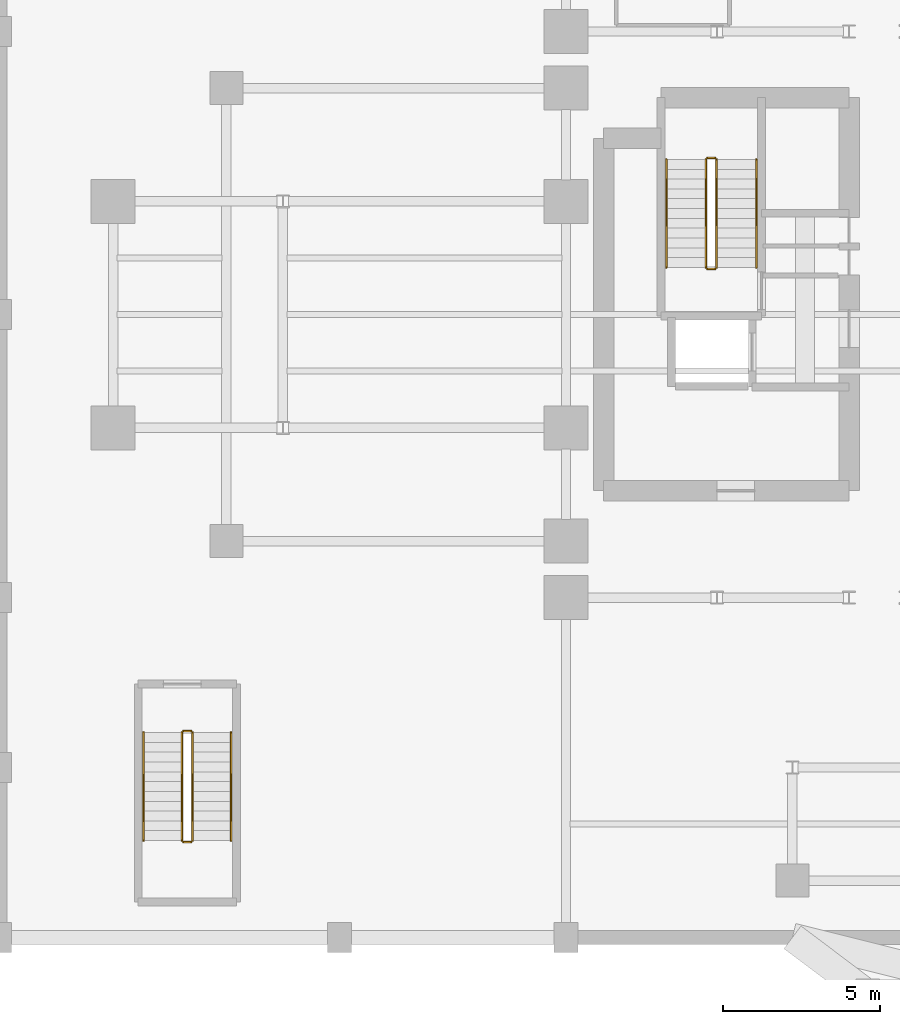
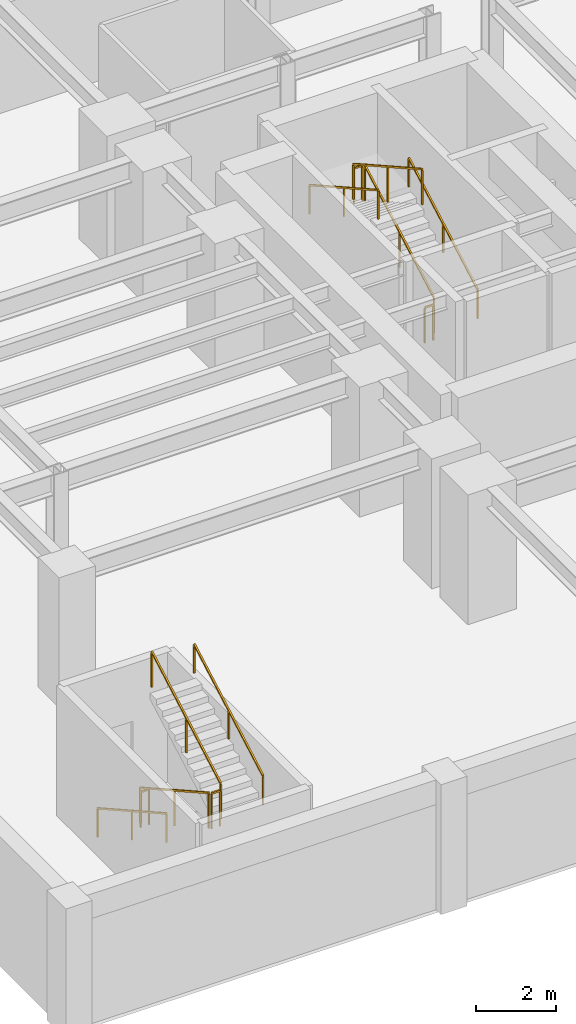
# One storey, part 8 of 9: 12 railings.
"""IFC4 building model written with IfcOpenShell, lengths in metres."""

from ifc_helpers import new_model, si_unit, direction, frame, origin, origin_2d, place, context, subcontext, project, spatial, rectangle, extrude, material, type_object, element, save


model = new_model("IFC4")

# Units and contexts
model_context = context("Model", 3, precision=1e-05, world=origin(), true_north=direction((0.0, 1.0)))
body_context = subcontext(model_context, "Body", "Model", "MODEL_VIEW")
ifc_project = project(units=[si_unit("LENGTHUNIT", "METRE"), si_unit("AREAUNIT", "SQUARE_METRE"), si_unit("VOLUMEUNIT", "CUBIC_METRE"), si_unit("PLANEANGLEUNIT", "RADIAN"), si_unit("MASSUNIT", "GRAM", prefix="KILO")], contexts=[model_context])

# Site, building, storey
site_placement = place(None, origin())
site = spatial("IfcSite", under=ifc_project, at=site_placement, CompositionType="ELEMENT")
building_placement = place(site_placement, origin())
building = spatial("IfcBuilding", under=site, at=building_placement, Name="Keilestroom Media Tower", CompositionType="ELEMENT")
storey_placement = place(building_placement, frame((0.0, 0.0, -4.199951171875)))
storey = spatial("IfcBuildingStorey", under=building, at=storey_placement, Name="B1", CompositionType="ELEMENT", Elevation=-4.199951171875)

# Railings
ifc_material_1 = material(Name="Brushed Stainless Steel 1.4301", Category="steel")
railing_type_1 = type_object("IfcRailingType", Name="Stair-Pitch-Handrail-920", PredefinedType="HANDRAIL", material=ifc_material_1)
railing_1_placement = place(storey_placement, frame((-8.35009765625, 1.5, 0.175048828125)))
element("IfcRailing", 1, at=railing_1_placement, inside=storey, type_object=railing_type_1, Name="B1 ST-1 stair handrail 1", PredefinedType="HANDRAIL", context=body_context, shape_type="SweptSolid", body=[
    extrude(rectangle(XDim=0.048095703125, YDim=0.048095703125, at=origin_2d()), frame((0.0, 0.0, 0.8759765625), z_axis=(0.0, 0.872186301735, 0.489173849532), x_axis=(-1.0, 0.0, 0.0)), (0.0, 0.0, 1.0), 3.934814453125),
    extrude(rectangle(XDim=0.0419921875, YDim=0.0419921875, at=origin_2d()), origin(), (0.0, 0.0, 1.0), 0.84375),
    extrude(rectangle(XDim=0.0419921875, YDim=0.0419921875, at=origin_2d()), frame((0.0, 1.7158203125, 0.96240234375)), (0.0, 0.0, 1.0), 0.84375),
    extrude(rectangle(XDim=0.0419921875, YDim=0.0419921875, at=origin_2d()), frame((0.0, 3.431884765625, 1.9248046875)), (0.0, 0.0, 1.0), 0.84375),
])
railing_2_placement = place(storey_placement, frame((-11.2099609375, 4.931884765625, 2.27490234375)))
element("IfcRailing", 2, at=railing_2_placement, inside=storey, type_object=railing_type_1, Name="B1 ST-1 stair handrail 2", PredefinedType="HANDRAIL", context=body_context, shape_type="SweptSolid", body=[
    extrude(rectangle(XDim=0.048095703125, YDim=0.048095703125, at=origin_2d()), frame((0.0, 0.0, 0.8759765625), z_axis=(0.0, -0.872159829118, 0.489221046638), x_axis=(1.0, 0.0, 0.0)), (0.0, 0.0, 1.0), 3.934814453125),
    extrude(rectangle(XDim=0.0419921875, YDim=0.0419921875, at=origin_2d()), origin(), (0.0, 0.0, 1.0), 0.84375),
    extrude(rectangle(XDim=0.0419921875, YDim=0.0419921875, at=origin_2d()), frame((0.0, -1.7158203125, 0.96240234375)), (0.0, 0.0, 1.0), 0.84375),
    extrude(rectangle(XDim=0.0419921875, YDim=0.0419921875, at=origin_2d()), frame((0.0, -3.431884765625, 1.925048828125)), (0.0, 0.0, 1.0), 0.84375),
])
railing_3_placement = place(storey_placement, frame((-27.830078125, -13.2900390625, 0.175048828125)))
element("IfcRailing", 3, at=railing_3_placement, inside=storey, type_object=railing_type_1, Name="B1 ST-3 stair handrail 1", PredefinedType="HANDRAIL", context=body_context, shape_type="SweptSolid", body=[
    extrude(rectangle(XDim=0.048095703125, YDim=0.048095703125, at=origin_2d()), frame((0.0, 0.0, 0.8759765625), z_axis=(0.0, -0.872186301735, 0.489173849532), x_axis=(1.0, 0.0, 0.0)), (0.0, 0.0, 1.0), 3.934814453125),
    extrude(rectangle(XDim=0.0419921875, YDim=0.0419921875, at=origin_2d()), origin(), (0.0, 0.0, 1.0), 0.84375),
    extrude(rectangle(XDim=0.0419921875, YDim=0.0419921875, at=origin_2d()), frame((0.0, -1.7158203125, 0.96240234375)), (0.0, 0.0, 1.0), 0.84375),
    extrude(rectangle(XDim=0.0419921875, YDim=0.0419921875, at=origin_2d()), frame((0.0, -3.431884765625, 1.9248046875)), (0.0, 0.0, 1.0), 0.84375),
])
railing_4_placement = place(storey_placement, frame((-25.050048828125, -16.721923828125, 2.27490234375)))
element("IfcRailing", 4, at=railing_4_placement, inside=storey, type_object=railing_type_1, Name="B1 ST-3 stair handrail 2", PredefinedType="HANDRAIL", context=body_context, shape_type="SweptSolid", body=[
    extrude(rectangle(XDim=0.048095703125, YDim=0.048095703125, at=origin_2d()), frame((0.0, 0.0, 0.8759765625), z_axis=(0.0, 0.872159829118, 0.489221046638), x_axis=(-1.0, 0.0, 0.0)), (0.0, 0.0, 1.0), 3.934814453125),
    extrude(rectangle(XDim=0.0419921875, YDim=0.0419921875, at=origin_2d()), origin(), (0.0, 0.0, 1.0), 0.84375),
    extrude(rectangle(XDim=0.0419921875, YDim=0.0419921875, at=origin_2d()), frame((0.0, 1.7158203125, 0.96240234375)), (0.0, 0.0, 1.0), 0.84375),
    extrude(rectangle(XDim=0.0419921875, YDim=0.0419921875, at=origin_2d()), frame((0.0, 3.431884765625, 1.925048828125)), (0.0, 0.0, 1.0), 0.84375),
])
ifc_material_2 = material(Name="Painted Steel Balustrade", Category="steel")
railing_type_2 = type_object("IfcRailingType", Name="Stair-Well-And-Landing-Guard-1100", PredefinedType="GUARDRAIL", material=ifc_material_2)
railing_5_placement = place(storey_placement, frame((-9.610107421875, 1.5, 0.175048828125)))
element("IfcRailing", 5, at=railing_5_placement, inside=storey, type_object=railing_type_2, Name="B1 ST-1 stair guard 1", PredefinedType="GUARDRAIL", context=body_context, shape_type="SweptSolid", body=[
    extrude(rectangle(XDim=0.048095703125, YDim=0.048095703125, at=origin_2d()), frame((0.0, 0.0, 1.076171875), z_axis=(0.0, 0.872186301735, 0.489173849532), x_axis=(-1.0, 0.0, 0.0)), (0.0, 0.0, 1.0), 3.934814453125),
    extrude(rectangle(XDim=0.0419921875, YDim=0.0419921875, at=origin_2d()), origin(), (0.0, 0.0, 1.0), 1.0439453125),
    extrude(rectangle(XDim=0.0419921875, YDim=0.0419921875, at=origin_2d()), frame((0.0, 1.7158203125, 0.96240234375)), (0.0, 0.0, 1.0), 1.0439453125),
    extrude(rectangle(XDim=0.0419921875, YDim=0.0419921875, at=origin_2d()), frame((0.0, 3.431884765625, 1.9248046875)), (0.0, 0.0, 1.0), 1.0439453125),
])
railing_6_placement = place(storey_placement, frame((-9.659912109375, 4.98193359375, 2.099853515625)))
element("IfcRailing", 6, at=railing_6_placement, inside=storey, type_object=railing_type_2, Name="B1 ST-1 stair guard 2", PredefinedType="GUARDRAIL", context=body_context, shape_type="SweptSolid", body=[
    extrude(rectangle(XDim=0.048095703125, YDim=0.048095703125, at=origin_2d()), frame((0.0, 0.0, 1.076171875), z_axis=(-1.0, 0.0, 0.0), x_axis=(0.0, -1.0, 0.0)), (0.0, 0.0, 1.0), 0.239990234375),
    extrude(rectangle(XDim=0.0419921875, YDim=0.0419921875, at=origin_2d()), origin(), (0.0, 0.0, 1.0), 1.0439453125),
    extrude(rectangle(XDim=0.0419921875, YDim=0.0419921875, at=origin_2d()), frame((-0.239990234375, 0.0, 0.0)), (0.0, 0.0, 1.0), 1.0439453125),
])
railing_7_placement = place(storey_placement, frame((-9.949951171875, 4.931884765625, 2.27490234375)))
element("IfcRailing", 7, at=railing_7_placement, inside=storey, type_object=railing_type_2, Name="B1 ST-1 stair guard 3", PredefinedType="GUARDRAIL", context=body_context, shape_type="SweptSolid", body=[
    extrude(rectangle(XDim=0.048095703125, YDim=0.048095703125, at=origin_2d()), frame((0.0, 0.0, 1.076171875), z_axis=(0.0, -0.872159829118, 0.489221046638), x_axis=(1.0, 0.0, 0.0)), (0.0, 0.0, 1.0), 3.934814453125),
    extrude(rectangle(XDim=0.0419921875, YDim=0.0419921875, at=origin_2d()), origin(), (0.0, 0.0, 1.0), 1.0439453125),
    extrude(rectangle(XDim=0.0419921875, YDim=0.0419921875, at=origin_2d()), frame((0.0, -1.7158203125, 0.96240234375)), (0.0, 0.0, 1.0), 1.0439453125),
    extrude(rectangle(XDim=0.0419921875, YDim=0.0419921875, at=origin_2d()), frame((0.0, -3.431884765625, 1.925048828125)), (0.0, 0.0, 1.0), 1.0439453125),
])
railing_8_placement = place(storey_placement, frame((-9.659912109375, 1.449951171875, 0.0)))
element("IfcRailing", 8, at=railing_8_placement, inside=storey, type_object=railing_type_2, Name="B1 ST-1 stair guard 4", PredefinedType="GUARDRAIL", context=body_context, shape_type="SweptSolid", body=[
    extrude(rectangle(XDim=0.048095703125, YDim=0.048095703125, at=origin_2d()), frame((0.0, 0.0, 1.076171875), z_axis=(-1.0, 0.0, 0.0), x_axis=(0.0, -1.0, 0.0)), (0.0, 0.0, 1.0), 0.239990234375),
    extrude(rectangle(XDim=0.0419921875, YDim=0.0419921875, at=origin_2d()), origin(), (0.0, 0.0, 1.0), 1.0439453125),
    extrude(rectangle(XDim=0.0419921875, YDim=0.0419921875, at=origin_2d()), frame((-0.239990234375, 0.0, 0.0)), (0.0, 0.0, 1.0), 1.0439453125),
])
railing_9_placement = place(storey_placement, frame((-26.610107421875, -13.2900390625, 0.175048828125)))
element("IfcRailing", 9, at=railing_9_placement, inside=storey, type_object=railing_type_2, Name="B1 ST-3 stair guard 1", PredefinedType="GUARDRAIL", context=body_context, shape_type="SweptSolid", body=[
    extrude(rectangle(XDim=0.048095703125, YDim=0.048095703125, at=origin_2d()), frame((0.0, 0.0, 1.076171875), z_axis=(0.0, -0.872186301735, 0.489173849532), x_axis=(1.0, 0.0, 0.0)), (0.0, 0.0, 1.0), 3.934814453125),
    extrude(rectangle(XDim=0.0419921875, YDim=0.0419921875, at=origin_2d()), origin(), (0.0, 0.0, 1.0), 1.0439453125),
    extrude(rectangle(XDim=0.0419921875, YDim=0.0419921875, at=origin_2d()), frame((0.0, -1.7158203125, 0.96240234375)), (0.0, 0.0, 1.0), 1.0439453125),
    extrude(rectangle(XDim=0.0419921875, YDim=0.0419921875, at=origin_2d()), frame((0.0, -3.431884765625, 1.9248046875)), (0.0, 0.0, 1.0), 1.0439453125),
])
railing_10_placement = place(storey_placement, frame((-26.56005859375, -16.77197265625, 2.099853515625)))
element("IfcRailing", 10, at=railing_10_placement, inside=storey, type_object=railing_type_2, Name="B1 ST-3 stair guard 2", PredefinedType="GUARDRAIL", context=body_context, shape_type="SweptSolid", body=[
    extrude(rectangle(XDim=0.048095703125, YDim=0.048095703125, at=origin_2d()), frame((0.0, 0.0, 1.076171875), z_axis=(1.0, 0.0, 0.0), x_axis=(0.0, 1.0, 0.0)), (0.0, 0.0, 1.0), 0.239990234375),
    extrude(rectangle(XDim=0.0419921875, YDim=0.0419921875, at=origin_2d()), origin(), (0.0, 0.0, 1.0), 1.0439453125),
    extrude(rectangle(XDim=0.0419921875, YDim=0.0419921875, at=origin_2d()), frame((0.239990234375, 0.0, 0.0)), (0.0, 0.0, 1.0), 1.0439453125),
])
railing_11_placement = place(storey_placement, frame((-26.27001953125, -16.721923828125, 2.27490234375)))
element("IfcRailing", 11, at=railing_11_placement, inside=storey, type_object=railing_type_2, Name="B1 ST-3 stair guard 3", PredefinedType="GUARDRAIL", context=body_context, shape_type="SweptSolid", body=[
    extrude(rectangle(XDim=0.048095703125, YDim=0.048095703125, at=origin_2d()), frame((0.0, 0.0, 1.076171875), z_axis=(0.0, 0.872159829118, 0.489221046638), x_axis=(-1.0, 0.0, 0.0)), (0.0, 0.0, 1.0), 3.934814453125),
    extrude(rectangle(XDim=0.0419921875, YDim=0.0419921875, at=origin_2d()), origin(), (0.0, 0.0, 1.0), 1.0439453125),
    extrude(rectangle(XDim=0.0419921875, YDim=0.0419921875, at=origin_2d()), frame((0.0, 1.7158203125, 0.96240234375)), (0.0, 0.0, 1.0), 1.0439453125),
    extrude(rectangle(XDim=0.0419921875, YDim=0.0419921875, at=origin_2d()), frame((0.0, 3.431884765625, 1.925048828125)), (0.0, 0.0, 1.0), 1.0439453125),
])
railing_12_placement = place(storey_placement, frame((-26.56005859375, -13.239990234375, 0.0)))
element("IfcRailing", 12, at=railing_12_placement, inside=storey, type_object=railing_type_2, Name="B1 ST-3 stair guard 4", PredefinedType="GUARDRAIL", context=body_context, shape_type="SweptSolid", body=[
    extrude(rectangle(XDim=0.048095703125, YDim=0.048095703125, at=origin_2d()), frame((0.0, 0.0, 1.076171875), z_axis=(1.0, 0.0, 0.0), x_axis=(0.0, 1.0, 0.0)), (0.0, 0.0, 1.0), 0.239990234375),
    extrude(rectangle(XDim=0.0419921875, YDim=0.0419921875, at=origin_2d()), origin(), (0.0, 0.0, 1.0), 1.0439453125),
    extrude(rectangle(XDim=0.0419921875, YDim=0.0419921875, at=origin_2d()), frame((0.239990234375, 0.0, 0.0)), (0.0, 0.0, 1.0), 1.0439453125),
])

save(model, "model.ifc")
